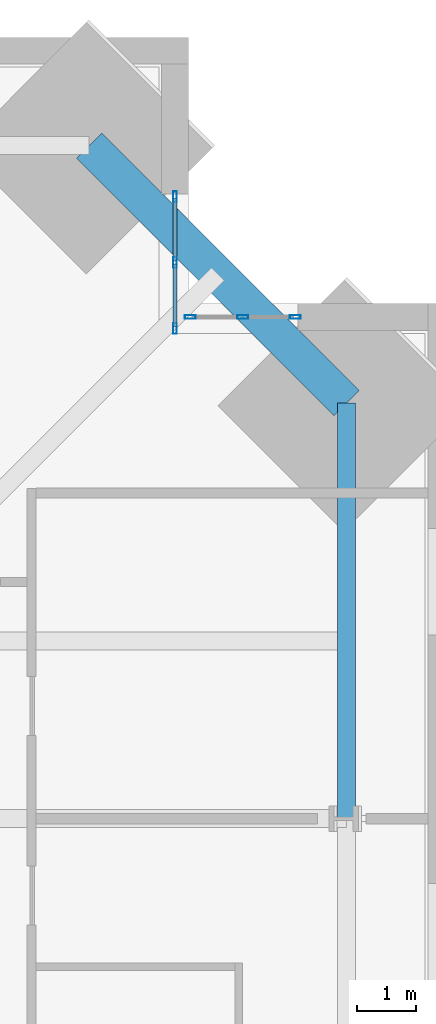
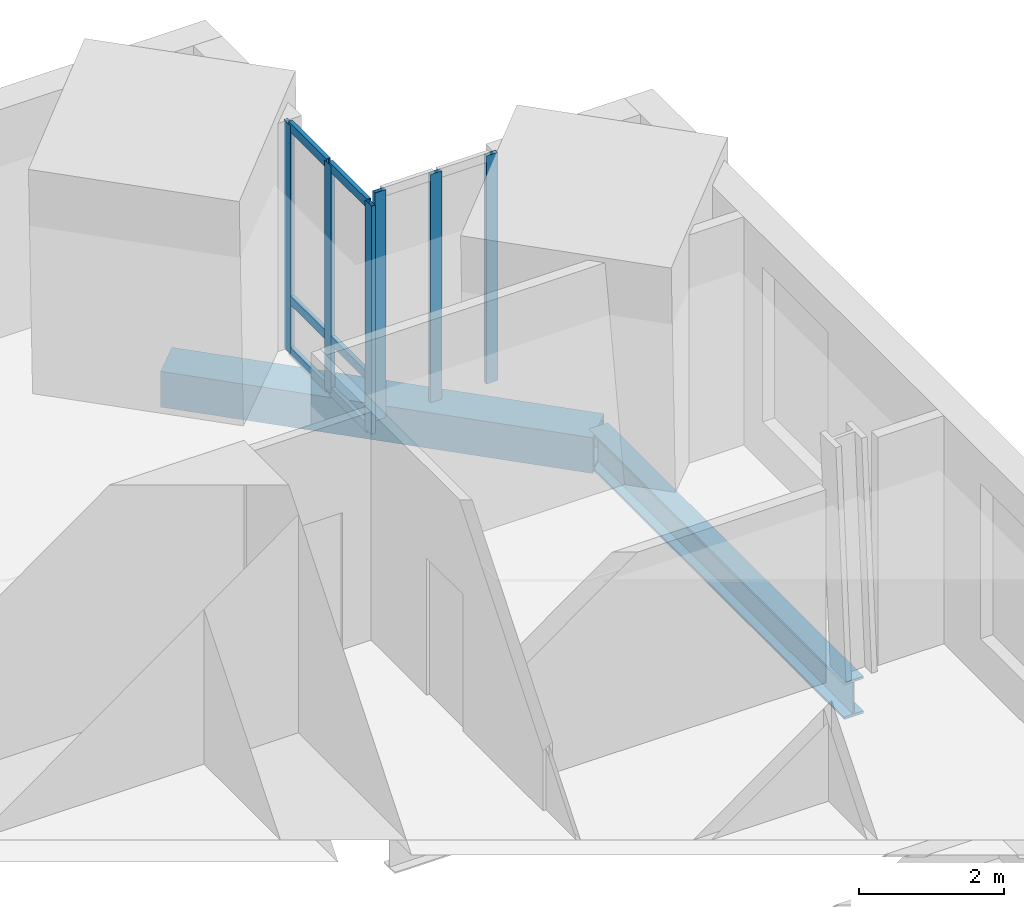
# One storey, part 8 of 15: 12 members, 2 beams, 2 elements without a shape of their own.
"""IFC4 building model written with IfcOpenShell, lengths in metres."""

import ifcopenshell
import ifcopenshell.guid

model = None  # the IFC model being written
_history = None  # IfcOwnerHistory: only IFC2X3 demands one
_inside = {}  # id of a spatial element -> (the spatial element, [elements in it])
_under = {}  # id of a project, library or spatial element -> (it, [spatial elements below it])
_declared = {}  # id of a project -> (the project, [libraries it declares])
_typed = {}  # id of a type object -> (the type object, [elements of that type])
_made_of = {}  # id of a material, layer set ... -> (it, [elements and type objects made of it])


def new_model(schema):
    """Start an empty IFC model of exactly this schema.

    Asked for "IFC4X3", IfcOpenShell would pick the latest addendum, in which some entities
    have other attributes; the version numbers below select the first issue.
    IFC2X3 requires an IfcOwnerHistory on every rooted entity: one is made here for all.
    """
    global model, _history
    if schema == "IFC4X3":
        model = ifcopenshell.file(schema_version=(4, 3, 0, 0))
    else:
        model = ifcopenshell.file(schema=schema)
    _inside.clear()
    _under.clear()
    _declared.clear()
    _typed.clear()
    _made_of.clear()
    _history = None
    if model.schema == "IFC2X3":
        org = make("IfcOrganization", Name="unknown")
        user = make(
            "IfcPersonAndOrganization",
            ThePerson=make("IfcPerson", FamilyName="unknown"),
            TheOrganization=org,
        )
        app = make(
            "IfcApplication",
            ApplicationDeveloper=org,
            Version="unknown",
            ApplicationFullName="unknown",
            ApplicationIdentifier="unknown",
        )
        _history = make(
            "IfcOwnerHistory",
            OwningUser=user,
            OwningApplication=app,
            ChangeAction="ADDED",
            CreationDate=0,
        )
    return model


def make(cls, **values):
    """One entity of the class cls with the attributes given. An attribute that is None is left unset."""
    return model.create_entity(
        cls, **{name: value for name, value in values.items() if value is not None}
    )


def rooted(cls, **values):
    """An entity with a GlobalId (a new one), such as an element, a storey or a relation."""
    return make(cls, GlobalId=ifcopenshell.guid.new(), OwnerHistory=_history, **values)


def si_unit(unit_type, name, prefix=None):
    """IfcSIUnit, for example si_unit("LENGTHUNIT", "METRE", prefix="MILLI")."""
    return make("IfcSIUnit", UnitType=unit_type, Prefix=prefix, Name=name)


def assignment(units):
    """IfcUnitAssignment: the units of a project."""
    return None if units is None else make("IfcUnitAssignment", Units=units)


def point(xyz):
    """IfcCartesianPoint."""
    return None if xyz is None else make("IfcCartesianPoint", Coordinates=xyz)


def direction(xyz):
    """IfcDirection."""
    return None if xyz is None else make("IfcDirection", DirectionRatios=xyz)


def frame(location, z_axis=None, x_axis=None):
    """IfcAxis2Placement3D, a coordinate frame: its origin and axes. An axis left out is left unset."""
    return make(
        "IfcAxis2Placement3D",
        Location=point(location),
        Axis=direction(z_axis),
        RefDirection=direction(x_axis),
    )


def frame_2d(location, x_axis=None):
    """IfcAxis2Placement2D, a coordinate frame in the plane: its origin and x axis."""
    return make(
        "IfcAxis2Placement2D", Location=point(location), RefDirection=direction(x_axis)
    )


def origin():
    """The frame at (0, 0, 0) with its axes left unset."""
    return frame((0.0, 0.0, 0.0))


def origin_2d():
    """The frame at (0, 0) in the plane with its x axis left unset."""
    return frame_2d((0.0, 0.0))


def place(relative_to, where):
    """IfcLocalPlacement: puts the frame where relative to a parent placement (None: the world)."""
    return make(
        "IfcLocalPlacement", PlacementRelTo=relative_to, RelativePlacement=where
    )


def context(
    kind, dimensions, precision=None, world=None, true_north=None, identifier=None
):
    """IfcGeometricRepresentationContext, for example the 3D "Model" context."""
    return make(
        "IfcGeometricRepresentationContext",
        ContextIdentifier=identifier,
        ContextType=kind,
        CoordinateSpaceDimension=dimensions,
        Precision=precision,
        WorldCoordinateSystem=world,
        TrueNorth=true_north,
    )


def subcontext(parent, identifier, kind, view, scale=None):
    """IfcGeometricRepresentationSubContext, for example "Body" below "Model"."""
    return make(
        "IfcGeometricRepresentationSubContext",
        ContextIdentifier=identifier,
        ContextType=kind,
        ParentContext=parent,
        TargetScale=scale,
        TargetView=view,
    )


def project(units=None, contexts=None):
    """IfcProject with its units and contexts."""
    return rooted(
        "IfcProject",
        Name="project",
        RepresentationContexts=contexts,
        UnitsInContext=assignment(units),
    )


def spatial(cls, under=None, at=None, **own):
    """A site, building, storey or space (cls), placed at a placement, below another one or the project."""
    s = rooted(cls, ObjectPlacement=at, **own)
    if under is not None:
        _under.setdefault(under.id(), (under, []))[1].append(s)
    return s


def profile(cls, at=None, kind="AREA", **sizes):
    """A parametric profile (cls). Its sizes go by their IFC names, for example OverallWidth=200.0."""
    return make(cls, ProfileType=kind, Position=at, **sizes)


def hollow_rectangle(**sizes):
    """IfcRectangleHollowProfileDef."""
    return profile("IfcRectangleHollowProfileDef", **sizes)


def i_section(**sizes):
    """IfcIShapeProfileDef."""
    return profile("IfcIShapeProfileDef", **sizes)


def extrude(swept, where, along, depth):
    """IfcExtrudedAreaSolid: the profile swept, set in the frame where, extruded along a direction by depth."""
    return make(
        "IfcExtrudedAreaSolid",
        SweptArea=swept,
        Position=where,
        ExtrudedDirection=direction(along),
        Depth=depth,
    )


def shape(context_of_items, identifier, shape_type, items):
    """IfcShapeRepresentation: the items that make up one representation, for example the "Body"."""
    return make(
        "IfcShapeRepresentation",
        ContextOfItems=context_of_items,
        RepresentationIdentifier=identifier,
        RepresentationType=shape_type,
        Items=items,
    )


def material(Name=None, Category=None):
    """IfcMaterial."""
    return make("IfcMaterial", Name=Name, Category=Category)


def material_profile(
    of_material, cross_section, Name=None, Category=None, Priority=None
):
    """IfcMaterialProfile: a cross section and its material."""
    return make(
        "IfcMaterialProfile",
        Name=Name,
        Material=of_material,
        Profile=cross_section,
        Priority=Priority,
        Category=Category,
    )


def profile_set(profiles, Name=None, composite=None):
    """IfcMaterialProfileSet."""
    return make(
        "IfcMaterialProfileSet",
        Name=Name,
        MaterialProfiles=profiles,
        CompositeProfile=composite,
    )


def made_of(thing, what):
    """Note that an element or type object is made of a material, layer set ...; save() writes the relation."""
    if what is not None:
        _made_of.setdefault(what.id(), (what, []))[1].append(thing)
    return thing


def type_object(cls, material=None, **own):
    """A type object (cls), such as IfcWallType, which elements share."""
    return made_of(rooted(cls, **own), material)


def element(
    cls,
    number,
    at=None,
    inside=None,
    cuts=None,
    type_object=None,
    material=None,
    context=None,
    identifier="Body",
    shape_type=None,
    held_by="IfcProductDefinitionShape",
    body=None,
    shapes=None,
    **own,
):
    """One element of the class cls, such as IfcWall. Its Tag is "e" and its number.

    at: its placement. inside: the storey or other place that contains it. cuts: it is an
    opening in that element (IfcRelVoidsElement). A single representation is given by context,
    identifier, shape_type and body (its items); several are given by shapes. held_by: the class
    of the entity that holds the representations. save() writes the other relations.
    """
    e = rooted(cls, Tag="e%d" % number, ObjectPlacement=at, **own)
    if body is not None:
        shapes = [shape(context, identifier, shape_type, body)]
    if shapes is not None:
        e.Representation = make(held_by, Representations=shapes)
    if inside is not None:
        _inside.setdefault(inside.id(), (inside, []))[1].append(e)
    if cuts is not None:
        rooted(
            "IfcRelVoidsElement", RelatingBuildingElement=cuts, RelatedOpeningElement=e
        )
    if type_object is not None:
        _typed.setdefault(type_object.id(), (type_object, []))[1].append(e)
    return made_of(e, material)


def aggregate(whole, parts):
    """IfcRelAggregates: a whole, such as a stair, and the parts it consists of."""
    return rooted("IfcRelAggregates", RelatingObject=whole, RelatedObjects=parts)


def save(model, path):
    """Write the relations noted so far, then the file.

    IfcRelAggregates (storeys below a building ...), IfcRelContainedInSpatialStructure (elements
    in a storey), IfcRelDefinesByType, IfcRelAssociatesMaterial and IfcRelDeclares: one each for
    every whole, place, type object, material and project.
    """
    for whole, parts in _under.values():
        aggregate(whole, parts)
    for where, things in _inside.values():
        rooted(
            "IfcRelContainedInSpatialStructure",
            RelatedElements=things,
            RelatingStructure=where,
        )
    for kind, things in _typed.values():
        rooted("IfcRelDefinesByType", RelatedObjects=things, RelatingType=kind)
    for what, things in _made_of.values():
        rooted("IfcRelAssociatesMaterial", RelatedObjects=things, RelatingMaterial=what)
    for by, libraries in _declared.values():
        rooted("IfcRelDeclares", RelatingContext=by, RelatedDefinitions=libraries)
    model.write(path)


model = new_model("IFC4")

# Units and contexts
model_context = context("Model", 3, precision=1e-05, world=origin(), true_north=direction((0.0, 1.0)))
body_context = subcontext(model_context, "Body", "Model", "MODEL_VIEW")
ifc_project = project(units=[si_unit("LENGTHUNIT", "METRE"), si_unit("AREAUNIT", "SQUARE_METRE"), si_unit("VOLUMEUNIT", "CUBIC_METRE"), si_unit("PLANEANGLEUNIT", "RADIAN"), si_unit("MASSUNIT", "GRAM", prefix="KILO")], contexts=[model_context])

# Site, building, storey
site_placement = place(None, origin())
site = spatial("IfcSite", under=ifc_project, at=site_placement, CompositionType="ELEMENT")
building_placement = place(site_placement, origin())
building = spatial("IfcBuilding", under=site, at=building_placement, Name="Peilmerk Tower", CompositionType="ELEMENT")
storey_placement = place(building_placement, frame((0.0, 0.0, 285.800048828125)))
storey = spatial("IfcBuildingStorey", under=building, at=storey_placement, Name="L64", CompositionType="ELEMENT", Elevation=285.800048828125)

# Beams
ifc_material_1 = material(Name="Steel S460", Category="steel")
ifc_material_profile_1 = material_profile(ifc_material_1, hollow_rectangle(XDim=0.60009765625, YDim=0.60009765625, WallThickness=0.06005859375, at=origin_2d()), Name="BOX 600x600x60")
ifc_profile_set_1 = profile_set([ifc_material_profile_1], Name="Steel S460")
beam_type_1 = type_object("IfcBeamType", Name="B20 BOX 600x600x60 notch beam", PredefinedType="SPANDREL", material=ifc_profile_set_1)
beam_1_placement = place(storey_placement, frame((15.0224609375, 19.37255859375, -0.469970703125), z_axis=(0.707106781187, -0.707106781187, 0.0), x_axis=(0.707106781187, 0.707106781187, 0.0)))
element("IfcBeam", 1, at=beam_1_placement, inside=storey, type_object=beam_type_1, Name="Notch beam L64", PredefinedType="SPANDREL", context=body_context, shape_type="SweptSolid", body=[
    extrude(hollow_rectangle(XDim=0.60009765625, YDim=0.60009765625, WallThickness=0.06005859375, at=origin_2d()), origin(), (0.0, 0.0, 1.0), 6.15185546875),
])
ifc_material_2 = material(Name="Steel S355", Category="steel")
ifc_material_profile_2 = material_profile(ifc_material_2, i_section(OverallWidth=0.304931640625, OverallDepth=0.6201171875, WebThickness=0.02099609375, FlangeThickness=0.0400390625, at=origin_2d()), Name="HEM 600")
ifc_profile_set_2 = profile_set([ifc_material_profile_2], Name="Steel S355")
beam_type_2 = type_object("IfcBeamType", Name="B31 HEM 600 edge beam", PredefinedType="SPANDREL", material=ifc_profile_set_2)
beam_2_placement = place(storey_placement, frame((19.37255859375, 8.0, -0.47998046875), z_axis=(0.0, 1.0, 0.0), x_axis=(-1.0, 0.0, 0.0)))
element("IfcBeam", 2, at=beam_2_placement, inside=storey, type_object=beam_type_2, Name="Edge beam L64", PredefinedType="SPANDREL", context=body_context, shape_type="SweptSolid", body=[
    extrude(i_section(OverallWidth=0.304931640625, OverallDepth=0.6201171875, WebThickness=0.02099609375, FlangeThickness=0.0400390625, at=origin_2d()), origin(), (0.0, 0.0, 1.0), 7.0224609375),
])

# Curtain wall, members
ifc_material_3 = material(Name="Aluminium stick curtain wall", Category="aluminium")
curtain_wall_type = type_object("IfcCurtainWallType", Name="CW4 stick curtain wall, 2250 module", PredefinedType="NOTDEFINED", material=ifc_material_3)
curtain_wall_1_placement = place(storey_placement, origin())
curtain_wall_1 = element("IfcCurtainWall", 3, at=curtain_wall_1_placement, inside=storey, type_object=curtain_wall_type, Name="Curtain wall CW4 NEA L64", PredefinedType="NOTDEFINED")
ifc_material_4 = material(Name="Aluminium EN AW-6063 T6", Category="aluminium")
ifc_material_profile_3 = material_profile(ifc_material_4, hollow_rectangle(XDim=0.06494140625, YDim=0.179931640625, WallThickness=0.0029296875, at=origin_2d()), Name="AL 180x65x3")
ifc_profile_set_3 = profile_set([ifc_material_profile_3], Name="Aluminium EN AW-6063 T6")
member_type_1 = type_object("IfcMemberType", Name="CW4-M AL 180x65x3 mullion", PredefinedType="MULLION", material=ifc_profile_set_3)
member_1_placement = place(storey_placement, frame((16.47509765625, 16.282470703125, 0.0), z_axis=(0.0, 0.0, 1.0), x_axis=(-1.0, 0.0, 0.0)))
member_1 = element("IfcMember", 4, at=member_1_placement, type_object=member_type_1, Name="CW4 mullion 1", PredefinedType="MULLION", context=body_context, shape_type="SweptSolid", body=[
    extrude(hollow_rectangle(XDim=0.06494140625, YDim=0.179931640625, WallThickness=0.0029296875, at=origin_2d()), origin(), (0.0, 0.0, 1.0), 3.829833984375),
])
member_2_placement = place(storey_placement, frame((16.47509765625, 17.394287109375, 0.0), z_axis=(0.0, 0.0, 1.0), x_axis=(-1.0, 0.0, 0.0)))
member_2 = element("IfcMember", 5, at=member_2_placement, type_object=member_type_1, Name="CW4 mullion 2", PredefinedType="MULLION", context=body_context, shape_type="SweptSolid", body=[
    extrude(hollow_rectangle(XDim=0.06494140625, YDim=0.179931640625, WallThickness=0.0029296875, at=origin_2d()), origin(), (0.0, 0.0, 1.0), 3.829833984375),
])
member_3_placement = place(storey_placement, frame((16.47509765625, 18.506103515625, 0.0), z_axis=(0.0, 0.0, 1.0), x_axis=(-1.0, 0.0, 0.0)))
member_3 = element("IfcMember", 6, at=member_3_placement, type_object=member_type_1, Name="CW4 mullion 3", PredefinedType="MULLION", context=body_context, shape_type="SweptSolid", body=[
    extrude(hollow_rectangle(XDim=0.06494140625, YDim=0.179931640625, WallThickness=0.0029296875, at=origin_2d()), origin(), (0.0, 0.0, 1.0), 3.829833984375),
])

curtain_wall_2_placement = place(storey_placement, origin())
curtain_wall_2 = element("IfcCurtainWall", 7, at=curtain_wall_2_placement, inside=storey, type_object=curtain_wall_type, Name="Curtain wall CW4 NEB L64", PredefinedType="NOTDEFINED")
member_4_placement = place(storey_placement, frame((16.732421875, 16.47509765625, 0.0), z_axis=(0.0, 0.0, 1.0), x_axis=(0.0, 1.0, 0.0)))
member_4 = element("IfcMember", 8, at=member_4_placement, type_object=member_type_1, Name="CW4 mullion 1", PredefinedType="MULLION", context=body_context, shape_type="SweptSolid", body=[
    extrude(hollow_rectangle(XDim=0.06494140625, YDim=0.179931640625, WallThickness=0.0029296875, at=origin_2d()), origin(), (0.0, 0.0, 1.0), 3.829833984375),
])
member_5_placement = place(storey_placement, frame((17.619384765625, 16.47509765625, 0.0), z_axis=(0.0, 0.0, 1.0), x_axis=(0.0, 1.0, 0.0)))
member_5 = element("IfcMember", 9, at=member_5_placement, type_object=member_type_1, Name="CW4 mullion 2", PredefinedType="MULLION", context=body_context, shape_type="SweptSolid", body=[
    extrude(hollow_rectangle(XDim=0.06494140625, YDim=0.179931640625, WallThickness=0.0029296875, at=origin_2d()), origin(), (0.0, 0.0, 1.0), 3.829833984375),
])
member_6_placement = place(storey_placement, frame((18.506103515625, 16.47509765625, 0.0), z_axis=(0.0, 0.0, 1.0), x_axis=(0.0, 1.0, 0.0)))
member_6 = element("IfcMember", 10, at=member_6_placement, type_object=member_type_1, Name="CW4 mullion 3", PredefinedType="MULLION", context=body_context, shape_type="SweptSolid", body=[
    extrude(hollow_rectangle(XDim=0.06494140625, YDim=0.179931640625, WallThickness=0.0029296875, at=origin_2d()), origin(), (0.0, 0.0, 1.0), 3.829833984375),
])
aggregate(curtain_wall_2, [member_4, member_5, member_6])

# Member
ifc_material_profile_4 = material_profile(ifc_material_4, hollow_rectangle(XDim=0.06494140625, YDim=0.14990234375, WallThickness=0.0029296875, at=origin_2d()), Name="AL 150x65x3")
ifc_profile_set_4 = profile_set([ifc_material_profile_4], Name="Aluminium EN AW-6063 T6")
member_type_2 = type_object("IfcMemberType", Name="CW4-T AL 150x65x3 transom", PredefinedType="USERDEFINED", material=ifc_profile_set_4)
member_7_placement = place(storey_placement, frame((16.47509765625, 16.31494140625, 0.032470703125), z_axis=(0.0, 1.0, 0.0), x_axis=(-1.0, 0.0, 0.0)))
member_7 = element("IfcMember", 11, at=member_7_placement, type_object=member_type_2, Name="CW4 transom 1.1", ObjectType="TRANSOM", PredefinedType="USERDEFINED", context=body_context, shape_type="SweptSolid", body=[
    extrude(hollow_rectangle(XDim=0.06494140625, YDim=0.14990234375, WallThickness=0.0029296875, at=origin_2d()), origin(), (0.0, 0.0, 1.0), 1.046875),
])

member_8_placement = place(storey_placement, frame((16.47509765625, 16.31494140625, 0.89990234375), z_axis=(0.0, 1.0, 0.0), x_axis=(-1.0, 0.0, 0.0)))
member_8 = element("IfcMember", 12, at=member_8_placement, type_object=member_type_2, Name="CW4 transom 1.2", ObjectType="TRANSOM", PredefinedType="USERDEFINED", context=body_context, shape_type="SweptSolid", body=[
    extrude(hollow_rectangle(XDim=0.06494140625, YDim=0.14990234375, WallThickness=0.0029296875, at=origin_2d()), origin(), (0.0, 0.0, 1.0), 1.046875),
])

member_9_placement = place(storey_placement, frame((16.47509765625, 16.31494140625, 3.79736328125), z_axis=(0.0, 1.0, 0.0), x_axis=(-1.0, 0.0, 0.0)))
member_9 = element("IfcMember", 13, at=member_9_placement, type_object=member_type_2, Name="CW4 transom 1.3", ObjectType="TRANSOM", PredefinedType="USERDEFINED", context=body_context, shape_type="SweptSolid", body=[
    extrude(hollow_rectangle(XDim=0.06494140625, YDim=0.14990234375, WallThickness=0.0029296875, at=origin_2d()), origin(), (0.0, 0.0, 1.0), 1.046875),
])

member_10_placement = place(storey_placement, frame((16.47509765625, 17.4267578125, 0.032470703125), z_axis=(0.0, 1.0, 0.0), x_axis=(-1.0, 0.0, 0.0)))
member_10 = element("IfcMember", 14, at=member_10_placement, type_object=member_type_2, Name="CW4 transom 2.1", ObjectType="TRANSOM", PredefinedType="USERDEFINED", context=body_context, shape_type="SweptSolid", body=[
    extrude(hollow_rectangle(XDim=0.06494140625, YDim=0.14990234375, WallThickness=0.0029296875, at=origin_2d()), origin(), (0.0, 0.0, 1.0), 1.046875),
])

member_11_placement = place(storey_placement, frame((16.47509765625, 17.4267578125, 0.89990234375), z_axis=(0.0, 1.0, 0.0), x_axis=(-1.0, 0.0, 0.0)))
member_11 = element("IfcMember", 15, at=member_11_placement, type_object=member_type_2, Name="CW4 transom 2.2", ObjectType="TRANSOM", PredefinedType="USERDEFINED", context=body_context, shape_type="SweptSolid", body=[
    extrude(hollow_rectangle(XDim=0.06494140625, YDim=0.14990234375, WallThickness=0.0029296875, at=origin_2d()), origin(), (0.0, 0.0, 1.0), 1.046875),
])

member_12_placement = place(storey_placement, frame((16.47509765625, 17.4267578125, 3.79736328125), z_axis=(0.0, 1.0, 0.0), x_axis=(-1.0, 0.0, 0.0)))
member_12 = element("IfcMember", 16, at=member_12_placement, type_object=member_type_2, Name="CW4 transom 2.3", ObjectType="TRANSOM", PredefinedType="USERDEFINED", context=body_context, shape_type="SweptSolid", body=[
    extrude(hollow_rectangle(XDim=0.06494140625, YDim=0.14990234375, WallThickness=0.0029296875, at=origin_2d()), origin(), (0.0, 0.0, 1.0), 1.046875),
])

aggregate(curtain_wall_1, [member_1, member_2, member_3, member_7, member_8, member_9, member_10, member_11, member_12])

save(model, "model.ifc")
